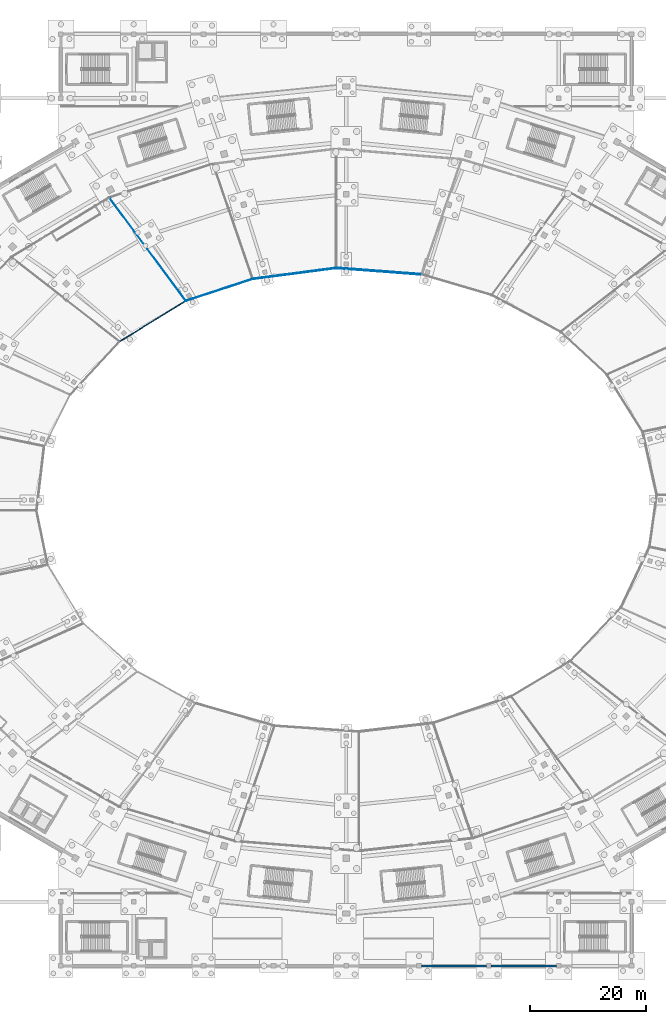
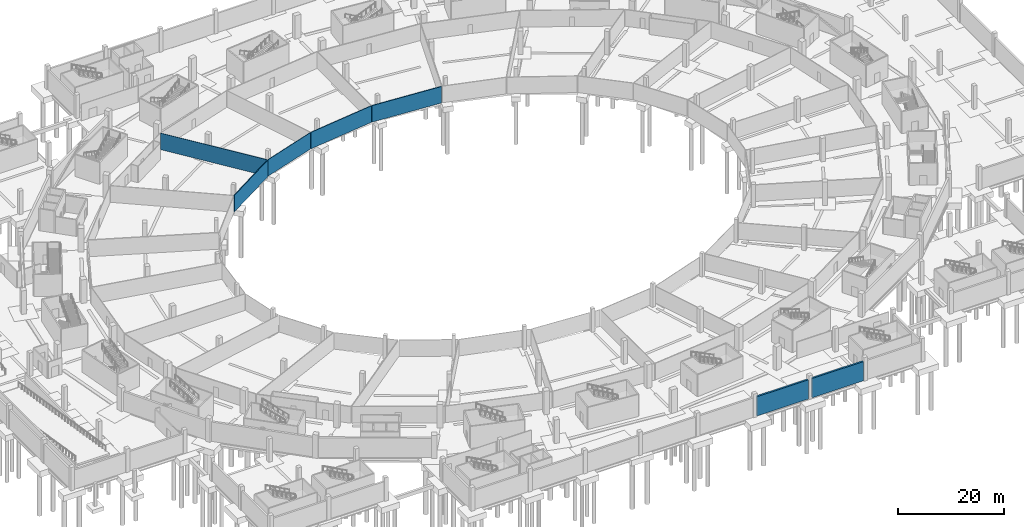
# One storey, part 38 of 74: 7 walls.
"""IFC4 building model written with IfcOpenShell, lengths in metres."""

from ifc_helpers import new_model, si_unit, direction, frame, frame_2d, origin, place, context, subcontext, project, spatial, rectangle, extrude, material, layer, layer_set, type_object, element, save


model = new_model("IFC4")

# Units and contexts
model_context = context("Model", 3, precision=1e-05, world=origin(), true_north=direction((0.0, 1.0)))
body_context = subcontext(model_context, "Body", "Model", "MODEL_VIEW")
ifc_project = project(units=[si_unit("LENGTHUNIT", "METRE"), si_unit("AREAUNIT", "SQUARE_METRE"), si_unit("VOLUMEUNIT", "CUBIC_METRE"), si_unit("PLANEANGLEUNIT", "RADIAN"), si_unit("MASSUNIT", "GRAM", prefix="KILO")], contexts=[model_context])

# Site, building, storey
site_placement = place(None, origin())
site = spatial("IfcSite", under=ifc_project, at=site_placement, CompositionType="ELEMENT")
building_placement = place(site_placement, origin())
building = spatial("IfcBuilding", under=site, at=building_placement, Name="Zlatoyarsky Gate Stadium", CompositionType="ELEMENT")
storey_placement = place(building_placement, frame((0.0, 0.0, -5.39990234375)))
storey = spatial("IfcBuildingStorey", under=building, at=storey_placement, Name="B1", CompositionType="ELEMENT", Elevation=-5.39990234375)

# Walls
ifc_material_1 = material(Name="Double-stud acoustic gypsum partition", Category="gypsum")
ifc_layer_1 = layer(ifc_material_1, 0.169921875)
ifc_layer_set_1 = layer_set([ifc_layer_1], Name="Double-stud acoustic gypsum partition")
wall_type_1 = type_object("IfcWallType", Name="ACOUSTIC BROADCAST STUDIO WALL 170", PredefinedType="PARTITIONING", material=ifc_layer_set_1)
wall_1_placement = place(storey_placement, frame((83.396728515625, 114.148681640625, 0.0), z_axis=(0.0, 0.0, 1.0), x_axis=(-0.852686499816, -0.522422944588, 0.0)))
element("IfcWall", 1, at=wall_1_placement, inside=storey, type_object=wall_type_1, Name="B1 interior partition PRT-B1-IRN-08", PredefinedType="PARTITIONING", context=body_context, shape_type="SweptSolid", body=[
    extrude(rectangle(XDim=13.210693359375, YDim=0.169921875, at=frame_2d((6.60546875, 0.0))), origin(), (0.0, 0.0, 1.0), 3.7998046875),
])
ifc_material_2 = material(Name="Concrete C35/45", Category="concrete")
ifc_layer_2 = layer(ifc_material_2, 0.3798828125)
ifc_layer_set_2 = layer_set([ifc_layer_2], Name="Concrete C35/45")
wall_type_2 = type_object("IfcWallType", Name="CONCRETE RAMP RETAINING WALL 380", PredefinedType="SOLIDWALL", material=ifc_layer_set_2)
for number, where, z_axis, x_axis, name in (
    (2, (123.89697265625, 0.0, 0.0), (0.0, 0.0, 1.0), (1.0, 0.0, 0.0), "V3_SOUTH B1 S exterior wall"),
    (3, (135.89697265625, 0.0, 0.0), (0.0, 0.0, 1.0), (1.0, 0.0, 0.0), "V3_SOUTH B1 S exterior wall"),
):
    element("IfcWall", number, at=place(storey_placement, frame(where, z_axis=z_axis, x_axis=x_axis)), inside=storey, type_object=wall_type_2, Name=name, PredefinedType="SOLIDWALL", context=body_context, shape_type="SweptSolid", body=[
        extrude(rectangle(XDim=11.2060546875, YDim=0.3798828125, at=frame_2d((5.60302734375, 0.0))), origin(), (0.0, 0.0, 1.0), 4.429931640625),
    ])
ifc_material_3 = material(Name="Timber-veneered acoustic operable partition", Category="wood")
ifc_layer_3 = layer(ifc_material_3, 0.094970703125)
ifc_layer_set_3 = layer_set([ifc_layer_3], Name="Timber-veneered acoustic operable partition")
wall_type_3 = type_object("IfcWallType", Name="FOLDING BANQUET SALON WALL 95", PredefinedType="MOVABLE", material=ifc_layer_set_3)
wall_2_placement = place(storey_placement, frame((83.418701171875, 114.261474609375, 0.0), z_axis=(0.0, 0.0, 1.0), x_axis=(-0.595225419506, 0.803558771947, 0.0)))
element("IfcWall", 4, at=wall_2_placement, inside=storey, type_object=wall_type_3, Name="B1 interior partition PRT-B1-IRD-08", PredefinedType="MOVABLE", context=body_context, shape_type="SweptSolid", body=[
    extrude(rectangle(XDim=21.91748046875, YDim=0.094970703125, at=frame_2d((10.958740234375, 0.0))), origin(), (0.0, 0.0, 1.0), 3.7998046875),
])
ifc_material_4 = material(Name="Acoustic metal-stud gypsum partition", Category="gypsum")
ifc_layer_4 = layer(ifc_material_4, 0.159912109375)
ifc_layer_set_4 = layer_set([ifc_layer_4], Name="Acoustic metal-stud gypsum partition")
wall_type_4 = type_object("IfcWallType", Name="HOSPITALITY SUITE PARTITION 160", PredefinedType="PARTITIONING", material=ifc_layer_set_4)
wall_3_placement = place(storey_placement, frame((123.916015625, 118.726806640625, 0.0), z_axis=(0.0, 0.0, 1.0), x_axis=(-0.997142075801, 0.075549193687, 0.0)))
element("IfcWall", 5, at=wall_3_placement, inside=storey, type_object=wall_type_4, Name="B1 interior partition PRT-B1-IRN-05", PredefinedType="PARTITIONING", context=body_context, shape_type="SweptSolid", body=[
    extrude(rectangle(XDim=14.564453125, YDim=0.159912109375, at=frame_2d((7.2822265625, 0.0))), origin(), (0.0, 0.0, 1.0), 3.7998046875),
])
ifc_material_5 = material(Name="Metal-stud gypsum partition", Category="gypsum")
ifc_layer_5 = layer(ifc_material_5, 0.10009765625)
ifc_layer_set_5 = layer_set([ifc_layer_5], Name="Metal-stud gypsum partition")
wall_type_5 = type_object("IfcWallType", Name="LIGHT STORAGE PARTITION 100", PredefinedType="PARTITIONING", material=ifc_layer_set_5)
wall_4_placement = place(storey_placement, frame((94.875244140625, 117.93017578125, 0.0), z_axis=(0.0, 0.0, 1.0), x_axis=(-0.950291262804, -0.311362354561, 0.0)))
element("IfcWall", 6, at=wall_4_placement, inside=storey, type_object=wall_type_5, Name="B1 interior partition PRT-B1-IRN-07", PredefinedType="PARTITIONING", context=body_context, shape_type="SweptSolid", body=[
    extrude(rectangle(XDim=11.917724609375, YDim=0.10009765625, at=frame_2d((5.958984375, 0.0))), origin(), (0.0, 0.0, 1.0), 3.7998046875),
])
ifc_material_6 = material(Name="Moisture-resistant tile-backed partition", Category="gypsum")
ifc_layer_6 = layer(ifc_material_6, 0.1298828125)
ifc_layer_set_6 = layer_set([ifc_layer_6], Name="Moisture-resistant tile-backed partition")
wall_type_6 = type_object("IfcWallType", Name="SANITARY WET ROOM PARTITION 130", PredefinedType="PARTITIONING", material=ifc_layer_set_6)
wall_5_placement = place(storey_placement, frame((109.223876953125, 119.822509765625, 0.0), z_axis=(0.0, 0.0, 1.0), x_axis=(-0.991556002657, -0.129679194922, 0.0)))
element("IfcWall", 7, at=wall_5_placement, inside=storey, type_object=wall_type_6, Name="B1 interior partition PRT-B1-IRN-06", PredefinedType="PARTITIONING", context=body_context, shape_type="SweptSolid", body=[
    extrude(rectangle(XDim=14.304443359375, YDim=0.1298828125, at=frame_2d((7.15234375, 0.0))), origin(), (0.0, 0.0, 1.0), 3.7998046875),
])

save(model, "model.ifc")
